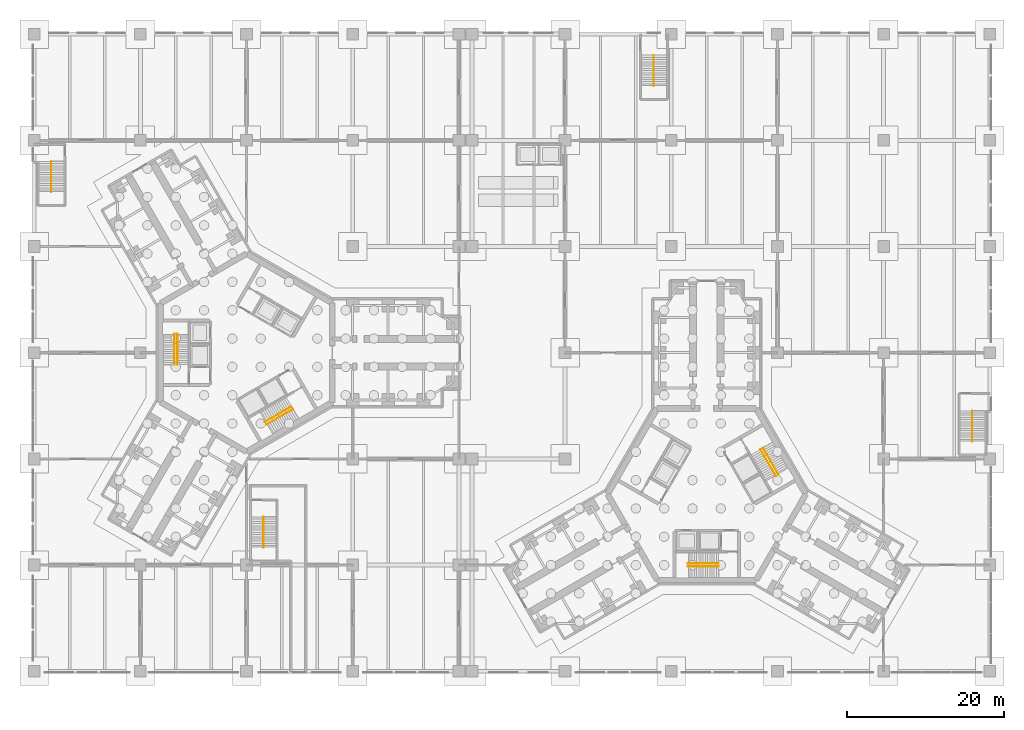
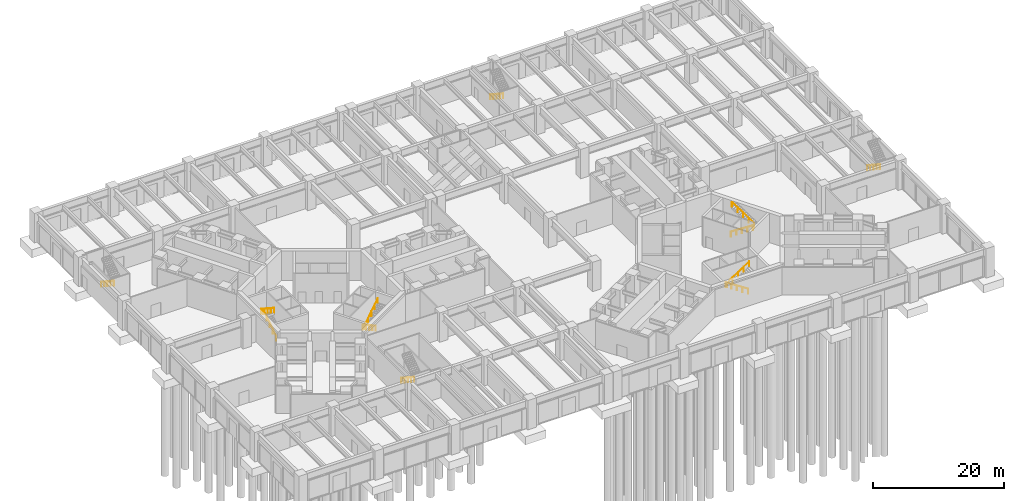
# One storey, part 17 of 18: 12 railings.
"""IFC4 building model written with IfcOpenShell, lengths in metres."""

from ifc_helpers import new_model, si_unit, direction, frame, origin, origin_2d, place, context, subcontext, project, spatial, circle, extrude, material, type_object, element, save


model = new_model("IFC4")

# Units and contexts
model_context = context("Model", 3, precision=1e-05, world=origin(), true_north=direction((0.0, 1.0)))
body_context = subcontext(model_context, "Body", "Model", "MODEL_VIEW")
ifc_project = project(units=[si_unit("LENGTHUNIT", "METRE"), si_unit("AREAUNIT", "SQUARE_METRE"), si_unit("VOLUMEUNIT", "CUBIC_METRE"), si_unit("PLANEANGLEUNIT", "RADIAN"), si_unit("MASSUNIT", "GRAM", prefix="KILO")], contexts=[model_context])

# Site, building, storey
site_placement = place(None, origin())
site = spatial("IfcSite", under=ifc_project, at=site_placement, CompositionType="ELEMENT")
building_placement = place(site_placement, origin())
building = spatial("IfcBuilding", under=site, at=building_placement, Name="Upepo Twin Towers", CompositionType="ELEMENT")
storey_placement = place(building_placement, origin())
storey = spatial("IfcBuildingStorey", under=building, at=storey_placement, Name="L00", CompositionType="ELEMENT", Elevation=0.0)

# Railings
ifc_material = material(Name="Stainless steel", Category="steel")
railing_type = type_object("IfcRailingType", Name="Stair handrail 900", PredefinedType="HANDRAIL", material=ifc_material)
railing_1_placement = place(storey_placement, frame((-8.800048828125, -1.52001953125, 0.183349609375)))
element("IfcRailing", 1, at=railing_1_placement, inside=storey, type_object=railing_type, Name="T1 stair S1 L00 handrail 1", PredefinedType="HANDRAIL", context=body_context, shape_type="SweptSolid", body=[
    extrude(circle(Radius=0.02392578125, at=origin_2d()), frame((0.0, 0.0, 0.8759765625), z_axis=(0.0, 0.836615117243, 0.547791151444), x_axis=(-1.0, 0.0, 0.0)), (0.0, 0.0, 1.0), 4.685546875),
    extrude(circle(Radius=0.02099609375, at=origin_2d()), origin(), (0.0, 0.0, 1.0), 0.851806640625),
    extrude(circle(Radius=0.02099609375, at=origin_2d()), frame((0.0, 0.97998046875, 0.6416015625)), (0.0, 0.0, 1.0), 0.851806640625),
    extrude(circle(Radius=0.02099609375, at=origin_2d()), frame((0.0, 1.9599609375, 1.283203125)), (0.0, 0.0, 1.0), 0.851806640625),
    extrude(circle(Radius=0.02099609375, at=origin_2d()), frame((0.0, 2.93994140625, 1.925048828125)), (0.0, 0.0, 1.0), 0.851806640625),
    extrude(circle(Radius=0.02099609375, at=origin_2d()), frame((0.0, 3.919921875, 2.566650390625)), (0.0, 0.0, 1.0), 0.851806640625),
])
railing_2_placement = place(storey_placement, frame((-9.158447265625, 2.39990234375, 2.933349609375)))
element("IfcRailing", 2, at=railing_2_placement, inside=storey, type_object=railing_type, Name="T1 stair S1 L00 handrail 2", PredefinedType="HANDRAIL", context=body_context, shape_type="SweptSolid", body=[
    extrude(circle(Radius=0.02392578125, at=origin_2d()), frame((0.0, 0.0, 0.8759765625), z_axis=(0.0, -0.836615117243, 0.547791151444), x_axis=(1.0, 0.0, 0.0)), (0.0, 0.0, 1.0), 4.685546875),
    extrude(circle(Radius=0.02099609375, at=origin_2d()), origin(), (0.0, 0.0, 1.0), 0.851806640625),
    extrude(circle(Radius=0.02099609375, at=origin_2d()), frame((0.0, -0.97998046875, 0.6416015625)), (0.0, 0.0, 1.0), 0.851806640625),
    extrude(circle(Radius=0.02099609375, at=origin_2d()), frame((0.0, -1.9599609375, 1.283203125)), (0.0, 0.0, 1.0), 0.851806640625),
    extrude(circle(Radius=0.02099609375, at=origin_2d()), frame((0.0, -2.93994140625, 1.925048828125)), (0.0, 0.0, 1.0), 0.851806640625),
    extrude(circle(Radius=0.02099609375, at=origin_2d()), frame((0.0, -3.919921875, 2.566650390625)), (0.0, 0.0, 1.0), 0.851806640625),
])
railing_3_placement = place(storey_placement, frame((5.71630859375, -6.861083984375, 0.183349609375)))
element("IfcRailing", 3, at=railing_3_placement, inside=storey, type_object=railing_type, Name="T1 stair S2 L00 handrail 1", PredefinedType="HANDRAIL", context=body_context, shape_type="SweptSolid", body=[
    extrude(circle(Radius=0.02392578125, at=origin_2d()), frame((0.0, 0.0, 0.8759765625), z_axis=(-0.724532323921, -0.418306040736, 0.547789163709), x_axis=(0.499997407846, -0.86602690036, 0.0)), (0.0, 0.0, 1.0), 4.685546875),
    extrude(circle(Radius=0.02099609375, at=origin_2d()), origin(), (0.0, 0.0, 1.0), 0.851806640625),
    extrude(circle(Radius=0.02099609375, at=origin_2d()), frame((-0.8486328125, -0.489990234375, 0.6416015625)), (0.0, 0.0, 1.0), 0.851806640625),
    extrude(circle(Radius=0.02099609375, at=origin_2d()), frame((-1.697265625, -0.97998046875, 1.283203125)), (0.0, 0.0, 1.0), 0.851806640625),
    extrude(circle(Radius=0.02099609375, at=origin_2d()), frame((-2.546142578125, -1.469970703125, 1.925048828125)), (0.0, 0.0, 1.0), 0.851806640625),
    extrude(circle(Radius=0.02099609375, at=origin_2d()), frame((-3.394775390625, -1.9599609375, 2.566650390625)), (0.0, 0.0, 1.0), 0.851806640625),
])
railing_4_placement = place(storey_placement, frame((2.500732421875, -9.13134765625, 2.933349609375)))
element("IfcRailing", 4, at=railing_4_placement, inside=storey, type_object=railing_type, Name="T1 stair S2 L00 handrail 2", PredefinedType="HANDRAIL", context=body_context, shape_type="SweptSolid", body=[
    extrude(circle(Radius=0.02392578125, at=origin_2d()), frame((0.0, 0.0, 0.8759765625), z_axis=(0.724532323921, 0.418306040736, 0.547789163709), x_axis=(-0.499997407846, 0.86602690036, 0.0)), (0.0, 0.0, 1.0), 4.685546875),
    extrude(circle(Radius=0.02099609375, at=origin_2d()), origin(), (0.0, 0.0, 1.0), 0.851806640625),
    extrude(circle(Radius=0.02099609375, at=origin_2d()), frame((0.8486328125, 0.489990234375, 0.6416015625)), (0.0, 0.0, 1.0), 0.851806640625),
    extrude(circle(Radius=0.02099609375, at=origin_2d()), frame((1.697265625, 0.97998046875, 1.283203125)), (0.0, 0.0, 1.0), 0.851806640625),
    extrude(circle(Radius=0.02099609375, at=origin_2d()), frame((2.546142578125, 1.469970703125, 1.925048828125)), (0.0, 0.0, 1.0), 0.851806640625),
    extrude(circle(Radius=0.02099609375, at=origin_2d()), frame((3.394775390625, 1.9599609375, 2.566650390625)), (0.0, 0.0, 1.0), 0.851806640625),
])
railing_5_placement = place(storey_placement, frame((60.02001953125, -26.800048828125, 0.183349609375)))
element("IfcRailing", 5, at=railing_5_placement, inside=storey, type_object=railing_type, Name="T2 stair S1 L00 handrail 1", PredefinedType="HANDRAIL", context=body_context, shape_type="SweptSolid", body=[
    extrude(circle(Radius=0.02392578125, at=origin_2d()), frame((0.0, 0.0, 0.8759765625), z_axis=(-0.836615117243, 0.0, 0.547791151444), x_axis=(0.0, -1.0, 0.0)), (0.0, 0.0, 1.0), 4.685546875),
    extrude(circle(Radius=0.02099609375, at=origin_2d()), origin(), (0.0, 0.0, 1.0), 0.851806640625),
    extrude(circle(Radius=0.02099609375, at=origin_2d()), frame((-0.97998046875, 0.0, 0.6416015625)), (0.0, 0.0, 1.0), 0.851806640625),
    extrude(circle(Radius=0.02099609375, at=origin_2d()), frame((-1.9599609375, 0.0, 1.283203125)), (0.0, 0.0, 1.0), 0.851806640625),
    extrude(circle(Radius=0.02099609375, at=origin_2d()), frame((-2.93994140625, 0.0, 1.925048828125)), (0.0, 0.0, 1.0), 0.851806640625),
    extrude(circle(Radius=0.02099609375, at=origin_2d()), frame((-3.919921875, 0.0, 2.566650390625)), (0.0, 0.0, 1.0), 0.851806640625),
])
railing_6_placement = place(storey_placement, frame((56.10009765625, -27.158447265625, 2.933349609375)))
element("IfcRailing", 6, at=railing_6_placement, inside=storey, type_object=railing_type, Name="T2 stair S1 L00 handrail 2", PredefinedType="HANDRAIL", context=body_context, shape_type="SweptSolid", body=[
    extrude(circle(Radius=0.02392578125, at=origin_2d()), frame((0.0, 0.0, 0.8759765625), z_axis=(0.836615117243, 0.0, 0.547791151444), x_axis=(0.0, 1.0, 0.0)), (0.0, 0.0, 1.0), 4.685546875),
    extrude(circle(Radius=0.02099609375, at=origin_2d()), origin(), (0.0, 0.0, 1.0), 0.851806640625),
    extrude(circle(Radius=0.02099609375, at=origin_2d()), frame((0.97998046875, 0.0, 0.6416015625)), (0.0, 0.0, 1.0), 0.851806640625),
    extrude(circle(Radius=0.02099609375, at=origin_2d()), frame((1.9599609375, 0.0, 1.283203125)), (0.0, 0.0, 1.0), 0.851806640625),
    extrude(circle(Radius=0.02099609375, at=origin_2d()), frame((2.93994140625, 0.0, 1.925048828125)), (0.0, 0.0, 1.0), 0.851806640625),
    extrude(circle(Radius=0.02099609375, at=origin_2d()), frame((3.919921875, 0.0, 2.566650390625)), (0.0, 0.0, 1.0), 0.851806640625),
])
railing_7_placement = place(storey_placement, frame((65.361083984375, -12.28369140625, 0.183349609375)))
element("IfcRailing", 7, at=railing_7_placement, inside=storey, type_object=railing_type, Name="T2 stair S2 L00 handrail 1", PredefinedType="HANDRAIL", context=body_context, shape_type="SweptSolid", body=[
    extrude(circle(Radius=0.02392578125, at=origin_2d()), frame((0.0, 0.0, 0.8759765625), z_axis=(0.418306040736, -0.724532323921, 0.547789163709), x_axis=(0.86602690036, 0.499997407846, 0.0)), (0.0, 0.0, 1.0), 4.685546875),
    extrude(circle(Radius=0.02099609375, at=origin_2d()), origin(), (0.0, 0.0, 1.0), 0.851806640625),
    extrude(circle(Radius=0.02099609375, at=origin_2d()), frame((0.489990234375, -0.8486328125, 0.6416015625)), (0.0, 0.0, 1.0), 0.851806640625),
    extrude(circle(Radius=0.02099609375, at=origin_2d()), frame((0.97998046875, -1.697265625, 1.283203125)), (0.0, 0.0, 1.0), 0.851806640625),
    extrude(circle(Radius=0.02099609375, at=origin_2d()), frame((1.469970703125, -2.546142578125, 1.925048828125)), (0.0, 0.0, 1.0), 0.851806640625),
    extrude(circle(Radius=0.02099609375, at=origin_2d()), frame((1.9599609375, -3.394775390625, 2.566650390625)), (0.0, 0.0, 1.0), 0.851806640625),
])
railing_8_placement = place(storey_placement, frame((67.63134765625, -15.499267578125, 2.933349609375)))
element("IfcRailing", 8, at=railing_8_placement, inside=storey, type_object=railing_type, Name="T2 stair S2 L00 handrail 2", PredefinedType="HANDRAIL", context=body_context, shape_type="SweptSolid", body=[
    extrude(circle(Radius=0.02392578125, at=origin_2d()), frame((0.0, 0.0, 0.8759765625), z_axis=(-0.418306040736, 0.724532323921, 0.547789163709), x_axis=(-0.86602690036, -0.499997407846, 0.0)), (0.0, 0.0, 1.0), 4.685546875),
    extrude(circle(Radius=0.02099609375, at=origin_2d()), origin(), (0.0, 0.0, 1.0), 0.851806640625),
    extrude(circle(Radius=0.02099609375, at=origin_2d()), frame((-0.489990234375, 0.8486328125, 0.6416015625)), (0.0, 0.0, 1.0), 0.851806640625),
    extrude(circle(Radius=0.02099609375, at=origin_2d()), frame((-0.97998046875, 1.697265625, 1.283203125)), (0.0, 0.0, 1.0), 0.851806640625),
    extrude(circle(Radius=0.02099609375, at=origin_2d()), frame((-1.469970703125, 2.546142578125, 1.925048828125)), (0.0, 0.0, 1.0), 0.851806640625),
    extrude(circle(Radius=0.02099609375, at=origin_2d()), frame((-1.9599609375, 3.394775390625, 2.566650390625)), (0.0, 0.0, 1.0), 0.851806640625),
])
for number, where, name in (
    (9, (-24.830078125, 24.320068359375, 0.183349609375), "Podium stair PS1 L00 handrail"),
    (10, (92.27001953125, -7.3798828125, 0.183349609375), "Podium stair PS2 L00 handrail"),
    (11, (2.169921875, -20.8798828125, 0.183349609375), "Podium stair PS3 L00 handrail"),
    (12, (51.77001953125, 37.820068359375, 0.183349609375), "Podium stair PS4 L00 handrail"),
):
    element("IfcRailing", number, at=place(storey_placement, frame(where)), inside=storey, type_object=railing_type, Name=name, PredefinedType="HANDRAIL", context=body_context, shape_type="SweptSolid", body=[
        extrude(circle(Radius=0.02392578125, at=origin_2d()), frame((0.0, 0.0, 0.8759765625), z_axis=(0.0, -0.836630751959, 0.54776727255), x_axis=(1.0, 0.0, 0.0)), (0.0, 0.0, 1.0), 4.685546875),
        extrude(circle(Radius=0.02099609375, at=origin_2d()), origin(), (0.0, 0.0, 1.0), 0.851806640625),
        extrude(circle(Radius=0.02099609375, at=origin_2d()), frame((0.0, -0.97998046875, 0.6416015625)), (0.0, 0.0, 1.0), 0.851806640625),
        extrude(circle(Radius=0.02099609375, at=origin_2d()), frame((0.0, -1.9599609375, 1.283203125)), (0.0, 0.0, 1.0), 0.851806640625),
        extrude(circle(Radius=0.02099609375, at=origin_2d()), frame((0.0, -2.940185546875, 1.925048828125)), (0.0, 0.0, 1.0), 0.851806640625),
        extrude(circle(Radius=0.02099609375, at=origin_2d()), frame((0.0, -3.920166015625, 2.566650390625)), (0.0, 0.0, 1.0), 0.851806640625),
    ])

save(model, "model.ifc")
